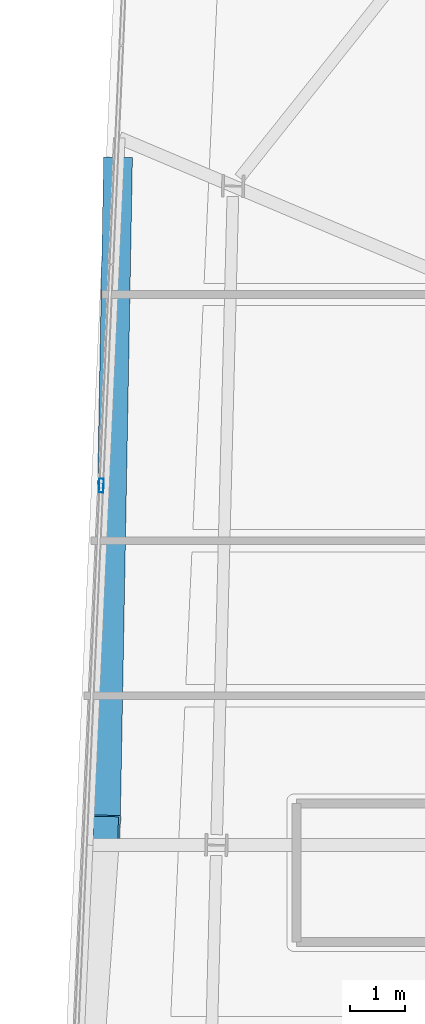
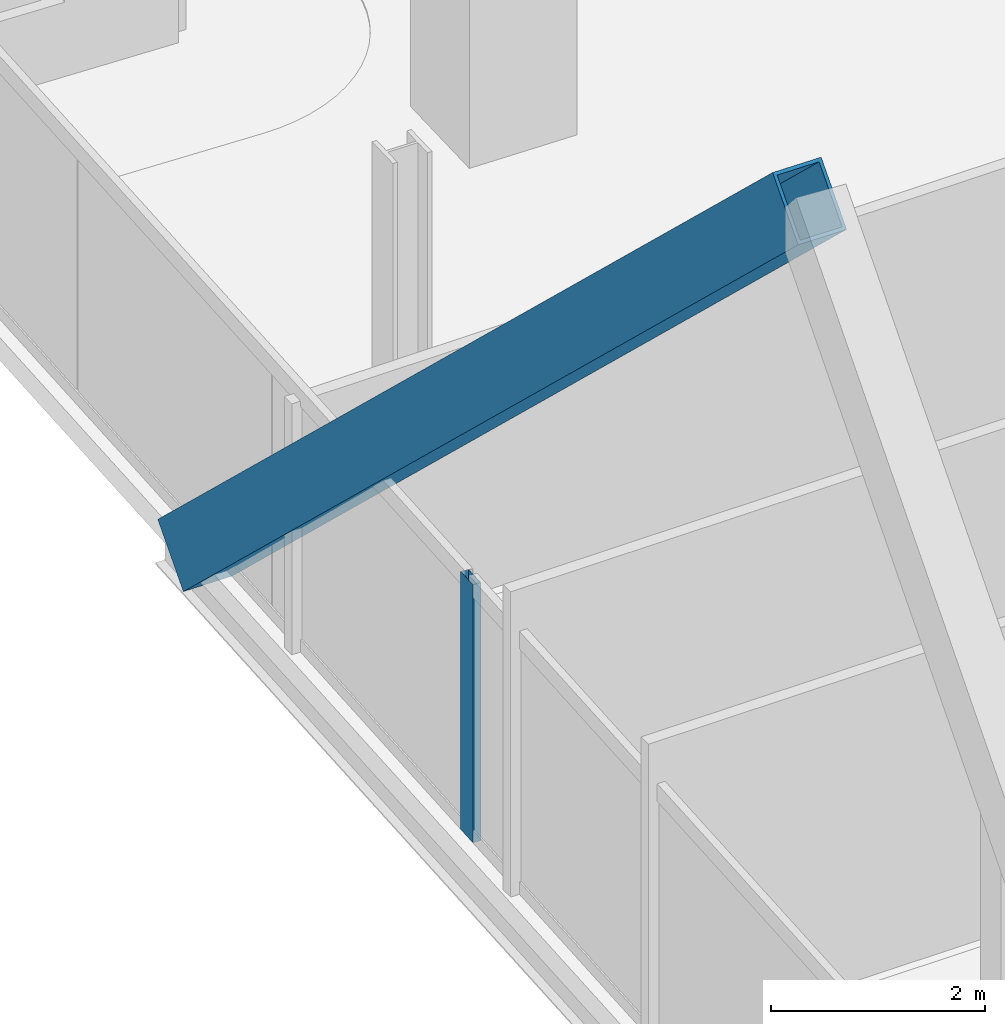
# One storey, part 7 of 26: 2 members, 1 element without a shape of its own.
"""IFC4 building model written with IfcOpenShell, lengths in metres."""

from ifc_helpers import new_model, si_unit, direction, frame, origin, origin_2d, place, context, subcontext, project, spatial, hollow_rectangle, extrude, material, material_profile, profile_set, type_object, element, aggregate, save


model = new_model("IFC4")

# Units and contexts
model_context = context("Model", 3, precision=1e-05, world=origin(), true_north=direction((0.0, 1.0)))
body_context = subcontext(model_context, "Body", "Model", "MODEL_VIEW")
ifc_project = project(units=[si_unit("LENGTHUNIT", "METRE"), si_unit("AREAUNIT", "SQUARE_METRE"), si_unit("VOLUMEUNIT", "CUBIC_METRE"), si_unit("PLANEANGLEUNIT", "RADIAN"), si_unit("MASSUNIT", "GRAM", prefix="KILO")], contexts=[model_context])

# Site, building, storey
site_placement = place(None, origin())
site = spatial("IfcSite", under=ifc_project, at=site_placement, CompositionType="ELEMENT")
building_placement = place(site_placement, origin())
building = spatial("IfcBuilding", under=site, at=building_placement, Name="Haldenkirk Collegiate Tower", CompositionType="ELEMENT")
storey_placement = place(building_placement, frame((0.0, 0.0, 321.449951171875)))
storey = spatial("IfcBuildingStorey", under=building, at=storey_placement, Name="L81", CompositionType="ELEMENT", Elevation=321.449951171875)

# Curtain wall, member
ifc_material_1 = material(Name="Anodised architectural bronze aluminium", Category="aluminium")
curtain_wall_type = type_object("IfcCurtainWallType", Name="CW-SYS1B-CONVEX-HI", PredefinedType="USERDEFINED", material=ifc_material_1)
curtain_wall_placement = place(storey_placement, origin())
curtain_wall = element("IfcCurtainWall", 1, at=curtain_wall_placement, inside=storey, type_object=curtain_wall_type, Name="L81 Upper tower high-wind convex bronze unitised curtain wall", ObjectType="UNITISED CURTAIN WALL", PredefinedType="USERDEFINED")
ifc_material_profile_1 = material_profile(ifc_material_1, hollow_rectangle(XDim=0.0849609375, YDim=0.25, WallThickness=0.0048828125, at=origin_2d()), Name="CW-MUL-1B")
ifc_profile_set_1 = profile_set([ifc_material_profile_1], Name="Anodised architectural bronze aluminium")
member_type_1 = type_object("IfcMemberType", Name="CW-MUL-1B", PredefinedType="MULLION", material=ifc_profile_set_1)
member_1_placement = place(storey_placement, frame((14.175048828125, 32.997314453125, 0.0), z_axis=(0.0, 0.0, 1.0), x_axis=(-0.998970520939, 0.045364063906, 0.0)))
member_1 = element("IfcMember", 2, at=member_1_placement, type_object=member_type_1, Name="CW-1B mullion 3", PredefinedType="MULLION", context=body_context, shape_type="SweptSolid", body=[
    extrude(hollow_rectangle(XDim=0.0849609375, YDim=0.25, WallThickness=0.0048828125, at=origin_2d()), origin(), (0.0, 0.0, 1.0), 2.947998046875),
])
aggregate(curtain_wall, [member_1])

# Member
ifc_material_2 = material(Name="Steel ASTM A572 Grade 50", Category="steel")
ifc_material_profile_2 = material_profile(ifc_material_2, hollow_rectangle(XDim=0.52001953125, YDim=0.719970703125, WallThickness=0.035888671875, at=origin_2d()), Name="BOX720X520X36")
ifc_profile_set_2 = profile_set([ifc_material_profile_2], Name="Steel ASTM A572 Grade 50")
member_type_2 = type_object("IfcMemberType", Name="MBR-MEGABRACE-BOX720X520X36", PredefinedType="BRACE", material=ifc_profile_set_2)
member_2_placement = place(storey_placement, frame((14.47314453125, 38.681884765625, -0.27001953125), z_axis=(-0.013273604614, -0.726304798967, 0.687244607413), x_axis=(0.999833044336, -0.018272478069, 0.0)))
element("IfcMember", 3, at=member_2_placement, inside=storey, type_object=member_type_2, Name="Perimeter Mega Brace Z6 L81-L83 NL", PredefinedType="BRACE", context=body_context, shape_type="SweptSolid", body=[
    extrude(hollow_rectangle(XDim=0.52001953125, YDim=0.719970703125, WallThickness=0.035888671875, at=origin_2d()), origin(), (0.0, 0.0, 1.0), 16.36962890625),
])

save(model, "model.ifc")
